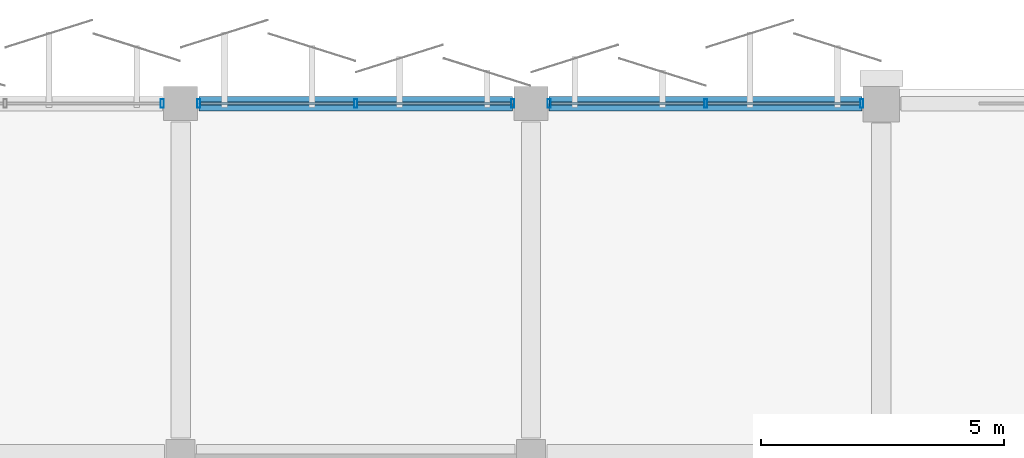
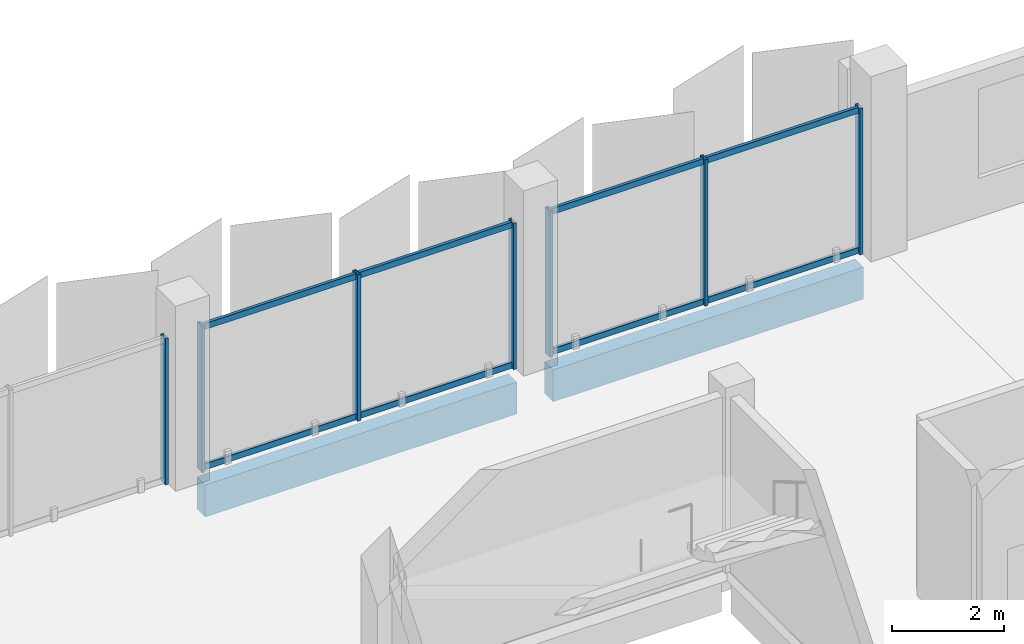
# One storey, part 67 of 107: 15 members, 2 beams, 3 elements without a shape of their own.
"""IFC4 building model written with IfcOpenShell, lengths in metres."""

from ifc_helpers import new_model, si_unit, direction, frame, origin, origin_2d, place, context, subcontext, project, spatial, rectangle, hollow_rectangle, extrude, material, layer, layer_set, material_profile, profile_set, type_object, element, aggregate, save


model = new_model("IFC4")

# Units and contexts
model_context = context("Model", 3, precision=1e-05, world=origin(), true_north=direction((0.0, 1.0)))
body_context = subcontext(model_context, "Body", "Model", "MODEL_VIEW")
ifc_project = project(units=[si_unit("LENGTHUNIT", "METRE"), si_unit("AREAUNIT", "SQUARE_METRE"), si_unit("VOLUMEUNIT", "CUBIC_METRE"), si_unit("PLANEANGLEUNIT", "RADIAN"), si_unit("MASSUNIT", "GRAM", prefix="KILO")], contexts=[model_context])

# Site, building, storey
site_placement = place(None, origin())
site = spatial("IfcSite", under=ifc_project, at=site_placement, CompositionType="ELEMENT")
building_placement = place(site_placement, origin())
building = spatial("IfcBuilding", under=site, at=building_placement, Name="Kangsadwip Square Police Headquarters", CompositionType="ELEMENT")
storey_placement = place(building_placement, frame((0.0, 0.0, 5.39990234375)))
storey = spatial("IfcBuildingStorey", under=building, at=storey_placement, Name="L01", CompositionType="ELEMENT", Elevation=5.39990234375)

# Curtain wall, member
ifc_material_1 = material(Name="Thermally broken anodised aluminium AW-6063-T6", Category="aluminium")
ifc_layer_1 = layer(ifc_material_1, 0.159912109375)
ifc_layer_set_1 = layer_set([ifc_layer_1], Name="Thermally broken anodised aluminium AW-6063-T6")
curtain_wall_type_1 = type_object("IfcCurtainWallType", Name="UnitisedCw6510x3200", PredefinedType="NOTDEFINED", material=ifc_layer_set_1)
curtain_wall_1_placement = place(storey_placement, origin())
curtain_wall_1 = element("IfcCurtainWall", 1, at=curtain_wall_1_placement, inside=storey, type_object=curtain_wall_type_1, Name="Curtain Wall CW-L01-1227-1152", PredefinedType="NOTDEFINED")
ifc_material_2 = material(Name="Thermally broken anodised aluminium AW-6063-T6", Category="aluminium")
ifc_material_profile_1 = material_profile(ifc_material_2, hollow_rectangle(XDim=0.06494140625, YDim=0.179931640625, WallThickness=0.00390625, at=origin_2d()), Name="CWM 180X65X4")
ifc_profile_set_1 = profile_set([ifc_material_profile_1], Name="Thermally broken anodised aluminium AW-6063-T6")
member_type_1 = type_object("IfcMemberType", Name="CwMullion160x65", PredefinedType="MULLION", material=ifc_profile_set_1)
member_1_placement = place(storey_placement, frame((129.222412109375, 115.199951171875, 0.0), z_axis=(0.0, 0.0, 1.0), x_axis=(1.0, 0.0, 0.0)))
member_1 = element("IfcMember", 2, at=member_1_placement, type_object=member_type_1, Name="CW-24 mullion 3", PredefinedType="MULLION", context=body_context, shape_type="SweptSolid", body=[
    extrude(hollow_rectangle(XDim=0.06494140625, YDim=0.179931640625, WallThickness=0.00390625, at=origin_2d()), origin(), (0.0, 0.0, 1.0), 3.2001953125),
])
aggregate(curtain_wall_1, [member_1])

# Curtain wall, members
curtain_wall_2_placement = place(storey_placement, origin())
curtain_wall_2 = element("IfcCurtainWall", 3, at=curtain_wall_2_placement, inside=storey, type_object=curtain_wall_type_1, Name="Curtain Wall CW-L01-1299-1152", PredefinedType="NOTDEFINED")
member_2_placement = place(storey_placement, frame((129.9775390625, 115.199951171875, 0.0), z_axis=(0.0, 0.0, 1.0), x_axis=(1.0, 0.0, 0.0)))
member_2 = element("IfcMember", 4, at=member_2_placement, type_object=member_type_1, Name="CW-24 mullion 1", PredefinedType="MULLION", context=body_context, shape_type="SweptSolid", body=[
    extrude(hollow_rectangle(XDim=0.06494140625, YDim=0.179931640625, WallThickness=0.00390625, at=origin_2d()), origin(), (0.0, 0.0, 1.0), 3.2001953125),
])
member_3_placement = place(storey_placement, frame((133.199951171875, 115.199951171875, 0.0), z_axis=(0.0, 0.0, 1.0), x_axis=(1.0, 0.0, 0.0)))
member_3 = element("IfcMember", 5, at=member_3_placement, type_object=member_type_1, Name="CW-24 mullion 2", PredefinedType="MULLION", context=body_context, shape_type="SweptSolid", body=[
    extrude(hollow_rectangle(XDim=0.06494140625, YDim=0.179931640625, WallThickness=0.00390625, at=origin_2d()), origin(), (0.0, 0.0, 1.0), 3.2001953125),
])
member_4_placement = place(storey_placement, frame((136.422607421875, 115.199951171875, 0.0), z_axis=(0.0, 0.0, 1.0), x_axis=(1.0, 0.0, 0.0)))
member_4 = element("IfcMember", 6, at=member_4_placement, type_object=member_type_1, Name="CW-24 mullion 3", PredefinedType="MULLION", context=body_context, shape_type="SweptSolid", body=[
    extrude(hollow_rectangle(XDim=0.06494140625, YDim=0.179931640625, WallThickness=0.00390625, at=origin_2d()), origin(), (0.0, 0.0, 1.0), 3.2001953125),
])

ifc_material_3 = material(Name="Thermally broken anodised aluminium AW-6063-T6", Category="aluminium")
ifc_layer_2 = layer(ifc_material_3, 0.159912109375)
ifc_layer_set_2 = layer_set([ifc_layer_2], Name="Thermally broken anodised aluminium AW-6063-T6")
curtain_wall_type_2 = type_object("IfcCurtainWallType", Name="UnitisedCw6485x3200", PredefinedType="NOTDEFINED", material=ifc_layer_set_2)
curtain_wall_3_placement = place(storey_placement, origin())
curtain_wall_3 = element("IfcCurtainWall", 7, at=curtain_wall_3_placement, inside=storey, type_object=curtain_wall_type_2, Name="Curtain Wall CW-L01-1371-1152", PredefinedType="NOTDEFINED")
member_5_placement = place(storey_placement, frame((137.177490234375, 115.199951171875, 0.0), z_axis=(0.0, 0.0, 1.0), x_axis=(1.0, 0.0, 0.0)))
member_5 = element("IfcMember", 8, at=member_5_placement, type_object=member_type_1, Name="CW-25 mullion 1", PredefinedType="MULLION", context=body_context, shape_type="SweptSolid", body=[
    extrude(hollow_rectangle(XDim=0.06494140625, YDim=0.179931640625, WallThickness=0.00390625, at=origin_2d()), origin(), (0.0, 0.0, 1.0), 3.2001953125),
])
member_6_placement = place(storey_placement, frame((140.387451171875, 115.199951171875, 0.0), z_axis=(0.0, 0.0, 1.0), x_axis=(1.0, 0.0, 0.0)))
member_6 = element("IfcMember", 9, at=member_6_placement, type_object=member_type_1, Name="CW-25 mullion 2", PredefinedType="MULLION", context=body_context, shape_type="SweptSolid", body=[
    extrude(hollow_rectangle(XDim=0.06494140625, YDim=0.179931640625, WallThickness=0.00390625, at=origin_2d()), origin(), (0.0, 0.0, 1.0), 3.2001953125),
])
member_7_placement = place(storey_placement, frame((143.597412109375, 115.199951171875, 0.0), z_axis=(0.0, 0.0, 1.0), x_axis=(1.0, 0.0, 0.0)))
member_7 = element("IfcMember", 10, at=member_7_placement, type_object=member_type_1, Name="CW-25 mullion 3", PredefinedType="MULLION", context=body_context, shape_type="SweptSolid", body=[
    extrude(hollow_rectangle(XDim=0.06494140625, YDim=0.179931640625, WallThickness=0.00390625, at=origin_2d()), origin(), (0.0, 0.0, 1.0), 3.2001953125),
])

# Member
ifc_material_4 = material(Name="Thermally broken anodised aluminium AW-6063-T6", Category="aluminium")
ifc_material_profile_2 = material_profile(ifc_material_4, hollow_rectangle(XDim=0.06494140625, YDim=0.1298828125, WallThickness=0.00390625, at=origin_2d()), Name="CWT 130X65X4")
ifc_profile_set_2 = profile_set([ifc_material_profile_2], Name="Thermally broken anodised aluminium AW-6063-T6")
member_type_2 = type_object("IfcMemberType", Name="CwTransom140x60", PredefinedType="USERDEFINED", material=ifc_profile_set_2)
member_8_placement = place(storey_placement, frame((130.010009765625, 115.199951171875, 0.065185546875), z_axis=(1.0, 0.0, 0.0), x_axis=(0.0, 1.0, 0.0)))
member_8 = element("IfcMember", 11, at=member_8_placement, type_object=member_type_2, Name="CW-24 transom 1.1", ObjectType="TRANSOM", PredefinedType="USERDEFINED", context=body_context, shape_type="SweptSolid", body=[
    extrude(hollow_rectangle(XDim=0.06494140625, YDim=0.1298828125, WallThickness=0.00390625, at=origin_2d()), origin(), (0.0, 0.0, 1.0), 3.157470703125),
])

member_9_placement = place(storey_placement, frame((130.010009765625, 115.199951171875, 3.135009765625), z_axis=(1.0, 0.0, 0.0), x_axis=(0.0, 1.0, 0.0)))
member_9 = element("IfcMember", 12, at=member_9_placement, type_object=member_type_2, Name="CW-24 transom 1.2", ObjectType="TRANSOM", PredefinedType="USERDEFINED", context=body_context, shape_type="SweptSolid", body=[
    extrude(hollow_rectangle(XDim=0.06494140625, YDim=0.1298828125, WallThickness=0.00390625, at=origin_2d()), origin(), (0.0, 0.0, 1.0), 3.157470703125),
])

member_10_placement = place(storey_placement, frame((133.232421875, 115.199951171875, 0.065185546875), z_axis=(1.0, 0.0, 0.0), x_axis=(0.0, 1.0, 0.0)))
member_10 = element("IfcMember", 13, at=member_10_placement, type_object=member_type_2, Name="CW-24 transom 2.1", ObjectType="TRANSOM", PredefinedType="USERDEFINED", context=body_context, shape_type="SweptSolid", body=[
    extrude(hollow_rectangle(XDim=0.06494140625, YDim=0.1298828125, WallThickness=0.00390625, at=origin_2d()), origin(), (0.0, 0.0, 1.0), 3.157470703125),
])

member_11_placement = place(storey_placement, frame((133.232421875, 115.199951171875, 3.135009765625), z_axis=(1.0, 0.0, 0.0), x_axis=(0.0, 1.0, 0.0)))
member_11 = element("IfcMember", 14, at=member_11_placement, type_object=member_type_2, Name="CW-24 transom 2.2", ObjectType="TRANSOM", PredefinedType="USERDEFINED", context=body_context, shape_type="SweptSolid", body=[
    extrude(hollow_rectangle(XDim=0.06494140625, YDim=0.1298828125, WallThickness=0.00390625, at=origin_2d()), origin(), (0.0, 0.0, 1.0), 3.157470703125),
])

aggregate(curtain_wall_2, [member_2, member_3, member_4, member_8, member_9, member_10, member_11])

member_12_placement = place(storey_placement, frame((137.2099609375, 115.199951171875, 0.065185546875), z_axis=(1.0, 0.0, 0.0), x_axis=(0.0, 1.0, 0.0)))
member_12 = element("IfcMember", 15, at=member_12_placement, type_object=member_type_2, Name="CW-25 transom 1.1", ObjectType="TRANSOM", PredefinedType="USERDEFINED", context=body_context, shape_type="SweptSolid", body=[
    extrude(hollow_rectangle(XDim=0.06494140625, YDim=0.1298828125, WallThickness=0.00390625, at=origin_2d()), origin(), (0.0, 0.0, 1.0), 3.14501953125),
])

member_13_placement = place(storey_placement, frame((137.2099609375, 115.199951171875, 3.135009765625), z_axis=(1.0, 0.0, 0.0), x_axis=(0.0, 1.0, 0.0)))
member_13 = element("IfcMember", 16, at=member_13_placement, type_object=member_type_2, Name="CW-25 transom 1.2", ObjectType="TRANSOM", PredefinedType="USERDEFINED", context=body_context, shape_type="SweptSolid", body=[
    extrude(hollow_rectangle(XDim=0.06494140625, YDim=0.1298828125, WallThickness=0.00390625, at=origin_2d()), origin(), (0.0, 0.0, 1.0), 3.14501953125),
])

member_14_placement = place(storey_placement, frame((140.419921875, 115.199951171875, 0.065185546875), z_axis=(1.0, 0.0, 0.0), x_axis=(0.0, 1.0, 0.0)))
member_14 = element("IfcMember", 17, at=member_14_placement, type_object=member_type_2, Name="CW-25 transom 2.1", ObjectType="TRANSOM", PredefinedType="USERDEFINED", context=body_context, shape_type="SweptSolid", body=[
    extrude(hollow_rectangle(XDim=0.06494140625, YDim=0.1298828125, WallThickness=0.00390625, at=origin_2d()), origin(), (0.0, 0.0, 1.0), 3.14501953125),
])

member_15_placement = place(storey_placement, frame((140.419921875, 115.199951171875, 3.135009765625), z_axis=(1.0, 0.0, 0.0), x_axis=(0.0, 1.0, 0.0)))
member_15 = element("IfcMember", 18, at=member_15_placement, type_object=member_type_2, Name="CW-25 transom 2.2", ObjectType="TRANSOM", PredefinedType="USERDEFINED", context=body_context, shape_type="SweptSolid", body=[
    extrude(hollow_rectangle(XDim=0.06494140625, YDim=0.1298828125, WallThickness=0.00390625, at=origin_2d()), origin(), (0.0, 0.0, 1.0), 3.14501953125),
])

aggregate(curtain_wall_3, [member_5, member_6, member_7, member_12, member_13, member_14, member_15])

# Beams
ifc_material_5 = material(Name="Concrete M40 (40 MPa)", Category="concrete")
ifc_material_profile_3 = material_profile(ifc_material_5, rectangle(XDim=0.300048828125, YDim=0.699951171875, at=origin_2d()), Name="RC SPN 700X300")
ifc_profile_set_3 = profile_set([ifc_material_profile_3], Name="Concrete M40 (40 MPa)")
beam_type = type_object("IfcBeamType", Name="RcSpandrel700x300", PredefinedType="SPANDREL", material=ifc_profile_set_3)
beam_1_placement = place(storey_placement, frame((129.97509765625, 115.199951171875, -0.58984375), z_axis=(1.0, 0.0, 0.0), x_axis=(0.0, 1.0, 0.0)))
element("IfcBeam", 19, at=beam_1_placement, inside=storey, type_object=beam_type, Name="Beam BM-L01-X-18-16", PredefinedType="SPANDREL", context=body_context, shape_type="SweptSolid", body=[
    extrude(rectangle(XDim=0.300048828125, YDim=0.699951171875, at=origin_2d()), origin(), (0.0, 0.0, 1.0), 6.449951171875),
])
beam_2_placement = place(storey_placement, frame((137.175048828125, 115.199951171875, -0.58984375), z_axis=(1.0, 0.0, 0.0), x_axis=(0.0, 1.0, 0.0)))
element("IfcBeam", 20, at=beam_2_placement, inside=storey, type_object=beam_type, Name="Beam BM-L01-X-19-16", PredefinedType="SPANDREL", context=body_context, shape_type="SweptSolid", body=[
    extrude(rectangle(XDim=0.300048828125, YDim=0.699951171875, at=origin_2d()), origin(), (0.0, 0.0, 1.0), 6.425048828125),
])

save(model, "model.ifc")
